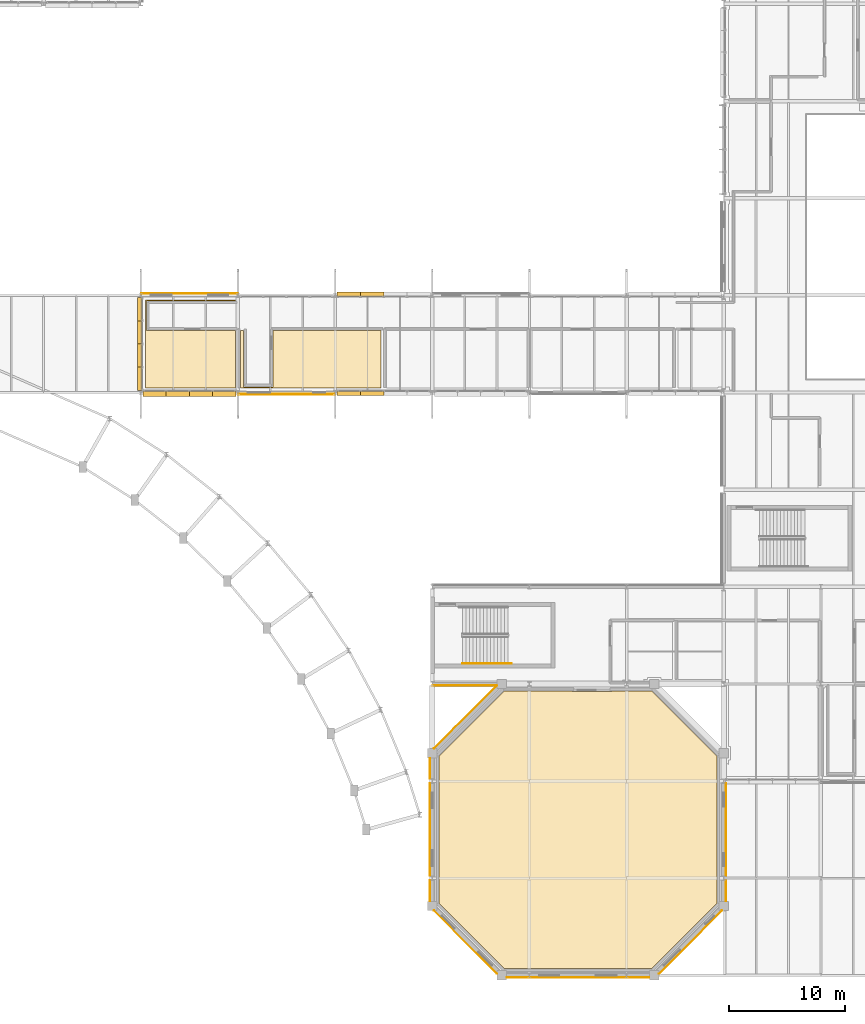
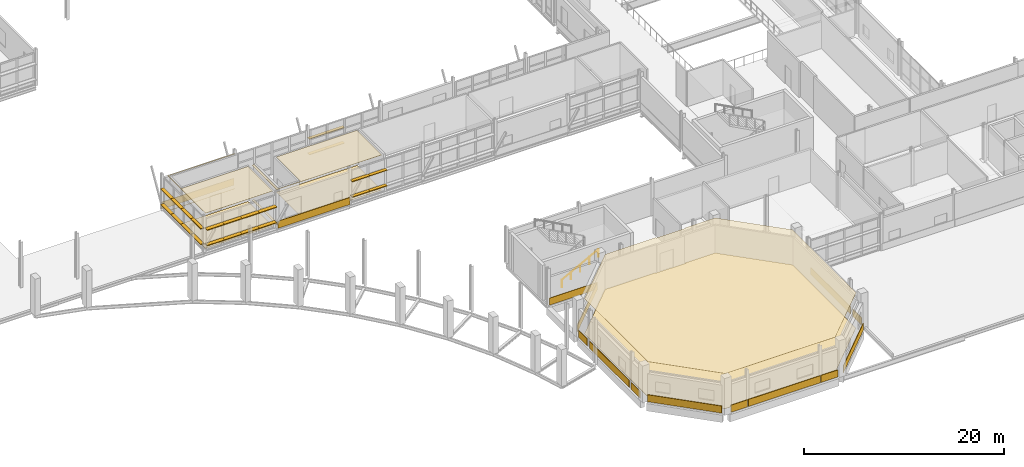
# One storey, part 107 of 129: 24 shading devices, 20 coverings, 1 railing.
"""IFC4 building model written with IfcOpenShell, lengths in metres."""

from ifc_helpers import new_model, si_unit, direction, frame, origin, origin_2d, place, context, subcontext, project, spatial, polyline, rectangle, circle, outline, extrude, material, layer, layer_set, type_object, element, save


model = new_model("IFC4")

# Units and contexts
model_context = context("Model", 3, precision=1e-05, world=origin(), true_north=direction((0.0, 1.0)))
body_context = subcontext(model_context, "Body", "Model", "MODEL_VIEW")
ifc_project = project(units=[si_unit("LENGTHUNIT", "METRE"), si_unit("AREAUNIT", "SQUARE_METRE"), si_unit("VOLUMEUNIT", "CUBIC_METRE"), si_unit("PLANEANGLEUNIT", "RADIAN"), si_unit("MASSUNIT", "GRAM", prefix="KILO")], contexts=[model_context])

# Site, building, storey
site_placement = place(None, origin())
site = spatial("IfcSite", under=ifc_project, at=site_placement, CompositionType="ELEMENT")
building_placement = place(site_placement, origin())
building = spatial("IfcBuilding", under=site, at=building_placement, Name="Mersafa Astral City Hall", CompositionType="ELEMENT")
storey_placement = place(building_placement, frame((0.0, 0.0, 5.39990234375)))
storey = spatial("IfcBuildingStorey", under=building, at=storey_placement, Name="L01", CompositionType="ELEMENT", Elevation=5.39990234375)

# Coverings
ifc_material_1 = material(Name="Cairo Mokattam buff limestone cladding", Category="masonry")
ifc_layer_1 = layer(ifc_material_1, 0.06005859375, Name="Cairo Mokattam buff limestone cladding")
ifc_layer_set_1 = layer_set([ifc_layer_1], Name="Cairo Mokattam buff limestone cladding — ENV-COV-LIMESTONE-60")
covering_type_1 = type_object("IfcCoveringType", Name="ENV-COV-LIMESTONE-60", PredefinedType="CLADDING", material=ifc_layer_set_1)
covering_1_placement = place(storey_placement, frame((70.008056640625, 25.060546875, 0.0), z_axis=(0.0, 0.0, 1.0), x_axis=(1.0, 0.0, 0.0)))
element("IfcCovering", 1, at=covering_1_placement, inside=storey, type_object=covering_type_1, Name="L01 Cairo buff limestone rainscreen cladding 59", PredefinedType="CLADDING", context=body_context, shape_type="SweptSolid", body=[
    extrude(rectangle(XDim=5.5400390625, YDim=0.06005859375, at=origin_2d()), origin(), (0.0, 0.0, 1.0), 0.860107421875),
])
covering_2_placement = place(storey_placement, frame((70.064208984375, 22.335693359375, 0.0), z_axis=(0.0, 0.0, 1.0), x_axis=(-0.707106781187, -0.707106781187, 0.0)))
element("IfcCovering", 2, at=covering_2_placement, inside=storey, type_object=covering_type_1, Name="L01 Cairo buff limestone rainscreen cladding 60", PredefinedType="CLADDING", context=body_context, shape_type="SweptSolid", body=[
    extrude(rectangle(XDim=7.705078125, YDim=0.06005859375, at=origin_2d()), origin(), (0.0, 0.0, 1.0), 0.860107421875),
])
covering_3_placement = place(storey_placement, frame((67.008056640625, 17.89208984375, 0.0), z_axis=(0.0, 0.0, 1.0), x_axis=(0.0, -1.0, 0.0)))
element("IfcCovering", 3, at=covering_3_placement, inside=storey, type_object=covering_type_1, Name="L01 Cairo buff limestone rainscreen cladding 61", PredefinedType="CLADDING", context=body_context, shape_type="SweptSolid", body=[
    extrude(rectangle(XDim=1.77197265625, YDim=0.06005859375, at=origin_2d()), origin(), (0.0, 0.0, 1.0), 0.860107421875),
])
covering_4_placement = place(storey_placement, frame((67.008056640625, 12.594970703125, 0.0), z_axis=(0.0, 0.0, 1.0), x_axis=(0.0, -1.0, 0.0)))
element("IfcCovering", 4, at=covering_4_placement, inside=storey, type_object=covering_type_1, Name="L01 Cairo buff limestone rainscreen cladding 62", PredefinedType="CLADDING", context=body_context, shape_type="SweptSolid", body=[
    extrude(rectangle(XDim=7.998046875, YDim=0.06005859375, at=origin_2d()), origin(), (0.0, 0.0, 1.0), 0.860107421875),
])
covering_5_placement = place(storey_placement, frame((67.008056640625, 7.31298828125, 0.0), z_axis=(0.0, 0.0, 1.0), x_axis=(0.0, -1.0, 0.0)))
element("IfcCovering", 5, at=covering_5_placement, inside=storey, type_object=covering_type_1, Name="L01 Cairo buff limestone rainscreen cladding 63", PredefinedType="CLADDING", context=body_context, shape_type="SweptSolid", body=[
    extrude(rectangle(XDim=1.781982421875, YDim=0.06005859375, at=origin_2d()), origin(), (0.0, 0.0, 1.0), 0.860107421875),
])
covering_6_placement = place(storey_placement, frame((70.064208984375, 2.8642578125, 0.0), z_axis=(0.0, 0.0, 1.0), x_axis=(0.707106781187, -0.707106781187, 0.0)))
element("IfcCovering", 6, at=covering_6_placement, inside=storey, type_object=covering_type_1, Name="L01 Cairo buff limestone rainscreen cladding 64", PredefinedType="CLADDING", context=body_context, shape_type="SweptSolid", body=[
    extrude(rectangle(XDim=7.705078125, YDim=0.06005859375, at=origin_2d()), origin(), (0.0, 0.0, 1.0), 0.860107421875),
])
covering_7_placement = place(storey_placement, frame((74.592041015625, -0.19189453125, 0.0), z_axis=(0.0, 0.0, 1.0), x_axis=(1.0, 0.0, 0.0)))
element("IfcCovering", 7, at=covering_7_placement, inside=storey, type_object=covering_type_1, Name="L01 Cairo buff limestone rainscreen cladding 65", PredefinedType="CLADDING", context=body_context, shape_type="SweptSolid", body=[
    extrude(rectangle(XDim=1.93994140625, YDim=0.06005859375, at=origin_2d()), origin(), (0.0, 0.0, 1.0), 0.860107421875),
])
covering_8_placement = place(storey_placement, frame((79.800048828125, -0.19189453125, 0.0), z_axis=(0.0, 0.0, 1.0), x_axis=(1.0, 0.0, 0.0)))
element("IfcCovering", 8, at=covering_8_placement, inside=storey, type_object=covering_type_1, Name="L01 Cairo buff limestone rainscreen cladding 66", PredefinedType="CLADDING", context=body_context, shape_type="SweptSolid", body=[
    extrude(rectangle(XDim=8.323974609375, YDim=0.06005859375, at=origin_2d()), origin(), (0.0, 0.0, 1.0), 0.860107421875),
])
covering_9_placement = place(storey_placement, frame((85.008056640625, -0.19189453125, 0.0), z_axis=(0.0, 0.0, 1.0), x_axis=(1.0, 0.0, 0.0)))
element("IfcCovering", 9, at=covering_9_placement, inside=storey, type_object=covering_type_1, Name="L01 Cairo buff limestone rainscreen cladding 67", PredefinedType="CLADDING", context=body_context, shape_type="SweptSolid", body=[
    extrude(rectangle(XDim=1.93994140625, YDim=0.06005859375, at=origin_2d()), origin(), (0.0, 0.0, 1.0), 0.860107421875),
])
covering_10_placement = place(storey_placement, frame((89.535888671875, 2.8642578125, 0.0), z_axis=(0.0, 0.0, 1.0), x_axis=(0.707106781187, 0.707106781187, 0.0)))
element("IfcCovering", 10, at=covering_10_placement, inside=storey, type_object=covering_type_1, Name="L01 Cairo buff limestone rainscreen cladding 68", PredefinedType="CLADDING", context=body_context, shape_type="SweptSolid", body=[
    extrude(rectangle(XDim=7.705078125, YDim=0.06005859375, at=origin_2d()), origin(), (0.0, 0.0, 1.0), 0.860107421875),
])
covering_11_placement = place(storey_placement, frame((92.592041015625, 7.30810546875, 0.0), z_axis=(0.0, 0.0, 1.0), x_axis=(0.0, 1.0, 0.0)))
element("IfcCovering", 11, at=covering_11_placement, inside=storey, type_object=covering_type_1, Name="L01 Cairo buff limestone rainscreen cladding 69", PredefinedType="CLADDING", context=body_context, shape_type="SweptSolid", body=[
    extrude(rectangle(XDim=1.77197265625, YDim=0.06005859375, at=origin_2d()), origin(), (0.0, 0.0, 1.0), 0.860107421875),
])
covering_12_placement = place(storey_placement, frame((92.592041015625, 12.60498046875, 0.0), z_axis=(0.0, 0.0, 1.0), x_axis=(0.0, 1.0, 0.0)))
element("IfcCovering", 12, at=covering_12_placement, inside=storey, type_object=covering_type_1, Name="L01 Cairo buff limestone rainscreen cladding 70", PredefinedType="CLADDING", context=body_context, shape_type="SweptSolid", body=[
    extrude(rectangle(XDim=7.998046875, YDim=0.06005859375, at=origin_2d()), origin(), (0.0, 0.0, 1.0), 0.860107421875),
])
for number, where, z_axis, x_axis, name in (
    (13, (46.199951171875, 58.95458984375, 0.0), (0.0, 0.0, 1.0), (-1.0, 0.0, 0.0), "L01 Cairo buff limestone rainscreen cladding 129"),
    (14, (54.60009765625, 50.2529296875, 0.0), (0.0, 0.0, 1.0), (1.0, 0.0, 0.0), "L01 Cairo buff limestone rainscreen cladding 130"),
):
    element("IfcCovering", number, at=place(storey_placement, frame(where, z_axis=z_axis, x_axis=x_axis)), inside=storey, type_object=covering_type_1, Name=name, PredefinedType="CLADDING", context=body_context, shape_type="SweptSolid", body=[
        extrude(rectangle(XDim=8.323974609375, YDim=0.06005859375, at=origin_2d()), origin(), (0.0, 0.0, 1.0), 0.860107421875),
    ])

# Shading devices
ifc_material_2 = material(Name="Kiln-dried cedar timber brise-soleil blade", Category="wood")
shading_device_type_1 = type_object("IfcShadingDeviceType", Name="ENV-SHD-LOUVRE-380", PredefinedType="JALOUSIE", material=ifc_material_2)
shading_device_1_placement = place(storey_placement, frame((61.990478515625, 58.8798828125, 0.81494140625), z_axis=(0.0, 0.0, 1.0), x_axis=(-1.0, 0.0, 0.0)))
element("IfcShadingDevice", 15, at=shading_device_1_placement, inside=storey, type_object=shading_device_type_1, Name="L01 Horizontal cedar brise-soleil louvre 616", PredefinedType="JALOUSIE", context=body_context, shape_type="SweptSolid", body=[
    extrude(rectangle(XDim=2.05908203125, YDim=0.3798828125, at=origin_2d()), origin(), (0.0, 0.0, 1.0), 0.070068359375),
])
shading_device_2_placement = place(storey_placement, frame((59.986572265625, 58.8798828125, 0.81494140625), z_axis=(0.0, 0.0, 1.0), x_axis=(-1.0, 0.0, 0.0)))
element("IfcShadingDevice", 16, at=shading_device_2_placement, inside=storey, type_object=shading_device_type_1, Name="L01 Horizontal cedar brise-soleil louvre 617", PredefinedType="JALOUSIE", context=body_context, shape_type="SweptSolid", body=[
    extrude(rectangle(XDim=2.029052734375, YDim=0.3798828125, at=origin_2d()), origin(), (0.0, 0.0, 1.0), 0.070068359375),
])
shading_device_3_placement = place(storey_placement, frame((61.990478515625, 58.8798828125, 2.71484375), z_axis=(0.0, 0.0, 1.0), x_axis=(-1.0, 0.0, 0.0)))
element("IfcShadingDevice", 17, at=shading_device_3_placement, inside=storey, type_object=shading_device_type_1, Name="L01 Horizontal cedar brise-soleil louvre 620", PredefinedType="JALOUSIE", context=body_context, shape_type="SweptSolid", body=[
    extrude(rectangle(XDim=2.05908203125, YDim=0.3798828125, at=origin_2d()), origin(), (0.0, 0.0, 1.0), 0.070068359375),
])
for number, where, z_axis, x_axis, name in (
    (18, (59.986572265625, 58.8798828125, 2.71484375), (0.0, 0.0, 1.0), (-1.0, 0.0, 0.0), "L01 Horizontal cedar brise-soleil louvre 621"),
    (19, (41.919921875, 57.613525390625, 0.81494140625), (0.0, 0.0, 1.0), (0.0, -1.0, 0.0), "L01 Horizontal cedar brise-soleil louvre 622"),
):
    element("IfcShadingDevice", number, at=place(storey_placement, frame(where, z_axis=z_axis, x_axis=x_axis)), inside=storey, type_object=shading_device_type_1, Name=name, PredefinedType="JALOUSIE", context=body_context, shape_type="SweptSolid", body=[
        extrude(rectangle(XDim=2.029052734375, YDim=0.3798828125, at=origin_2d()), origin(), (0.0, 0.0, 1.0), 0.070068359375),
    ])
for number, where, z_axis, x_axis, name in (
    (20, (41.919921875, 55.609619140625, 0.81494140625), (0.0, 0.0, 1.0), (0.0, -1.0, 0.0), "L01 Horizontal cedar brise-soleil louvre 623"),
    (21, (41.919921875, 53.590576171875, 0.81494140625), (0.0, 0.0, 1.0), (0.0, -1.0, 0.0), "L01 Horizontal cedar brise-soleil louvre 624"),
):
    element("IfcShadingDevice", number, at=place(storey_placement, frame(where, z_axis=z_axis, x_axis=x_axis)), inside=storey, type_object=shading_device_type_1, Name=name, PredefinedType="JALOUSIE", context=body_context, shape_type="SweptSolid", body=[
        extrude(rectangle(XDim=2.05908203125, YDim=0.3798828125, at=origin_2d()), origin(), (0.0, 0.0, 1.0), 0.070068359375),
    ])
for number, where, z_axis, x_axis, name in (
    (22, (41.919921875, 51.58642578125, 0.81494140625), (0.0, 0.0, 1.0), (0.0, -1.0, 0.0), "L01 Horizontal cedar brise-soleil louvre 625"),
    (23, (41.919921875, 57.613525390625, 2.71484375), (0.0, 0.0, 1.0), (0.0, -1.0, 0.0), "L01 Horizontal cedar brise-soleil louvre 626"),
):
    element("IfcShadingDevice", number, at=place(storey_placement, frame(where, z_axis=z_axis, x_axis=x_axis)), inside=storey, type_object=shading_device_type_1, Name=name, PredefinedType="JALOUSIE", context=body_context, shape_type="SweptSolid", body=[
        extrude(rectangle(XDim=2.029052734375, YDim=0.3798828125, at=origin_2d()), origin(), (0.0, 0.0, 1.0), 0.070068359375),
    ])
for number, where, z_axis, x_axis, name in (
    (24, (41.919921875, 55.609619140625, 2.71484375), (0.0, 0.0, 1.0), (0.0, -1.0, 0.0), "L01 Horizontal cedar brise-soleil louvre 627"),
    (25, (41.919921875, 53.590576171875, 2.71484375), (0.0, 0.0, 1.0), (0.0, -1.0, 0.0), "L01 Horizontal cedar brise-soleil louvre 628"),
):
    element("IfcShadingDevice", number, at=place(storey_placement, frame(where, z_axis=z_axis, x_axis=x_axis)), inside=storey, type_object=shading_device_type_1, Name=name, PredefinedType="JALOUSIE", context=body_context, shape_type="SweptSolid", body=[
        extrude(rectangle(XDim=2.05908203125, YDim=0.3798828125, at=origin_2d()), origin(), (0.0, 0.0, 1.0), 0.070068359375),
    ])
for number, where, z_axis, x_axis, name in (
    (26, (41.919921875, 51.58642578125, 2.71484375), (0.0, 0.0, 1.0), (0.0, -1.0, 0.0), "L01 Horizontal cedar brise-soleil louvre 629"),
    (27, (59.986572265625, 50.320068359375, 0.81494140625), (0.0, 0.0, 1.0), (1.0, 0.0, 0.0), "L01 Horizontal cedar brise-soleil louvre 638"),
):
    element("IfcShadingDevice", number, at=place(storey_placement, frame(where, z_axis=z_axis, x_axis=x_axis)), inside=storey, type_object=shading_device_type_1, Name=name, PredefinedType="JALOUSIE", context=body_context, shape_type="SweptSolid", body=[
        extrude(rectangle(XDim=2.029052734375, YDim=0.3798828125, at=origin_2d()), origin(), (0.0, 0.0, 1.0), 0.070068359375),
    ])
shading_device_4_placement = place(storey_placement, frame((61.990478515625, 50.320068359375, 0.81494140625), z_axis=(0.0, 0.0, 1.0), x_axis=(1.0, 0.0, 0.0)))
element("IfcShadingDevice", 28, at=shading_device_4_placement, inside=storey, type_object=shading_device_type_1, Name="L01 Horizontal cedar brise-soleil louvre 639", PredefinedType="JALOUSIE", context=body_context, shape_type="SweptSolid", body=[
    extrude(rectangle(XDim=2.05908203125, YDim=0.3798828125, at=origin_2d()), origin(), (0.0, 0.0, 1.0), 0.070068359375),
])
shading_device_5_placement = place(storey_placement, frame((59.986572265625, 50.320068359375, 2.71484375), z_axis=(0.0, 0.0, 1.0), x_axis=(1.0, 0.0, 0.0)))
element("IfcShadingDevice", 29, at=shading_device_5_placement, inside=storey, type_object=shading_device_type_1, Name="L01 Horizontal cedar brise-soleil louvre 642", PredefinedType="JALOUSIE", context=body_context, shape_type="SweptSolid", body=[
    extrude(rectangle(XDim=2.029052734375, YDim=0.3798828125, at=origin_2d()), origin(), (0.0, 0.0, 1.0), 0.070068359375),
])
shading_device_6_placement = place(storey_placement, frame((61.990478515625, 50.320068359375, 2.71484375), z_axis=(0.0, 0.0, 1.0), x_axis=(1.0, 0.0, 0.0)))
element("IfcShadingDevice", 30, at=shading_device_6_placement, inside=storey, type_object=shading_device_type_1, Name="L01 Horizontal cedar brise-soleil louvre 643", PredefinedType="JALOUSIE", context=body_context, shape_type="SweptSolid", body=[
    extrude(rectangle(XDim=2.05908203125, YDim=0.3798828125, at=origin_2d()), origin(), (0.0, 0.0, 1.0), 0.070068359375),
])
shading_device_type_2 = type_object("IfcShadingDeviceType", Name="ENV-SHD-LOUVRE-450", PredefinedType="JALOUSIE", material=ifc_material_2)
shading_device_7_placement = place(storey_placement, frame((43.1865234375, 50.284912109375, 0.81005859375), z_axis=(0.0, 0.0, 1.0), x_axis=(1.0, 0.0, 0.0)))
element("IfcShadingDevice", 31, at=shading_device_7_placement, inside=storey, type_object=shading_device_type_2, Name="L01 Horizontal cedar brise-soleil louvre 630", PredefinedType="JALOUSIE", context=body_context, shape_type="SweptSolid", body=[
    extrude(rectangle(XDim=2.029052734375, YDim=0.449951171875, at=origin_2d()), origin(), (0.0, 0.0, 1.0), 0.080078125),
])
for number, where, z_axis, x_axis, name in (
    (32, (45.1904296875, 50.284912109375, 0.81005859375), (0.0, 0.0, 1.0), (1.0, 0.0, 0.0), "L01 Horizontal cedar brise-soleil louvre 631"),
    (33, (47.20947265625, 50.284912109375, 0.81005859375), (0.0, 0.0, 1.0), (1.0, 0.0, 0.0), "L01 Horizontal cedar brise-soleil louvre 632"),
):
    element("IfcShadingDevice", number, at=place(storey_placement, frame(where, z_axis=z_axis, x_axis=x_axis)), inside=storey, type_object=shading_device_type_2, Name=name, PredefinedType="JALOUSIE", context=body_context, shape_type="SweptSolid", body=[
        extrude(rectangle(XDim=2.05908203125, YDim=0.449951171875, at=origin_2d()), origin(), (0.0, 0.0, 1.0), 0.080078125),
    ])
for number, where, z_axis, x_axis, name in (
    (34, (49.21337890625, 50.284912109375, 0.81005859375), (0.0, 0.0, 1.0), (1.0, 0.0, 0.0), "L01 Horizontal cedar brise-soleil louvre 633"),
    (35, (43.1865234375, 50.284912109375, 2.7099609375), (0.0, 0.0, 1.0), (1.0, 0.0, 0.0), "L01 Horizontal cedar brise-soleil louvre 634"),
):
    element("IfcShadingDevice", number, at=place(storey_placement, frame(where, z_axis=z_axis, x_axis=x_axis)), inside=storey, type_object=shading_device_type_2, Name=name, PredefinedType="JALOUSIE", context=body_context, shape_type="SweptSolid", body=[
        extrude(rectangle(XDim=2.029052734375, YDim=0.449951171875, at=origin_2d()), origin(), (0.0, 0.0, 1.0), 0.080078125),
    ])
for number, where, z_axis, x_axis, name in (
    (36, (45.1904296875, 50.284912109375, 2.7099609375), (0.0, 0.0, 1.0), (1.0, 0.0, 0.0), "L01 Horizontal cedar brise-soleil louvre 635"),
    (37, (47.20947265625, 50.284912109375, 2.7099609375), (0.0, 0.0, 1.0), (1.0, 0.0, 0.0), "L01 Horizontal cedar brise-soleil louvre 636"),
):
    element("IfcShadingDevice", number, at=place(storey_placement, frame(where, z_axis=z_axis, x_axis=x_axis)), inside=storey, type_object=shading_device_type_2, Name=name, PredefinedType="JALOUSIE", context=body_context, shape_type="SweptSolid", body=[
        extrude(rectangle(XDim=2.05908203125, YDim=0.449951171875, at=origin_2d()), origin(), (0.0, 0.0, 1.0), 0.080078125),
    ])
shading_device_8_placement = place(storey_placement, frame((49.21337890625, 50.284912109375, 2.7099609375), z_axis=(0.0, 0.0, 1.0), x_axis=(1.0, 0.0, 0.0)))
element("IfcShadingDevice", 38, at=shading_device_8_placement, inside=storey, type_object=shading_device_type_2, Name="L01 Horizontal cedar brise-soleil louvre 637", PredefinedType="JALOUSIE", context=body_context, shape_type="SweptSolid", body=[
    extrude(rectangle(XDim=2.029052734375, YDim=0.449951171875, at=origin_2d()), origin(), (0.0, 0.0, 1.0), 0.080078125),
])

# Railing
ifc_material_3 = material(Name="Brushed stainless steel tubular handrail", Category="steel")
railing_type = type_object("IfcRailingType", Name="HANDRAIL", PredefinedType="HANDRAIL", material=ifc_material_3)
railing_placement = place(storey_placement, frame((69.830078125, 26.969970703125, 0.160888671875)))
element("IfcRailing", 39, at=railing_placement, inside=storey, type_object=railing_type, Name="L01 ST7 stair handrail 1", PredefinedType="HANDRAIL", context=body_context, shape_type="SweptSolid", body=[
    extrude(circle(Radius=0.02392578125, at=origin_2d()), frame((0.0, 0.0, 0.8759765625), z_axis=(0.881221683169, 0.0, 0.472703231546), x_axis=(0.0, 1.0, 0.0)), (0.0, 0.0, 1.0), 4.76611328125),
    extrude(circle(Radius=0.02099609375, at=origin_2d()), origin(), (0.0, 0.0, 1.0), 0.851806640625),
    extrude(circle(Radius=0.02099609375, at=origin_2d()), frame((1.050048828125, 0.0, 0.563232421875)), (0.0, 0.0, 1.0), 0.851806640625),
    extrude(circle(Radius=0.02099609375, at=origin_2d()), frame((2.10009765625, 0.0, 1.12646484375)), (0.0, 0.0, 1.0), 0.851806640625),
    extrude(circle(Radius=0.02099609375, at=origin_2d()), frame((3.14990234375, 0.0, 1.689697265625)), (0.0, 0.0, 1.0), 0.851806640625),
    extrude(circle(Radius=0.02099609375, at=origin_2d()), frame((4.199951171875, 0.0, 2.2529296875)), (0.0, 0.0, 1.0), 0.851806640625),
])

# Coverings
ifc_material_4 = material(Name="Perforated acoustic gypsum board ceiling", Category="gypsum")
ifc_layer_2 = layer(ifc_material_4, 0.02490234375, Name="Perforated acoustic gypsum board ceiling")
ifc_layer_set_2 = layer_set([ifc_layer_2], Name="Perforated acoustic gypsum board ceiling — INT-COV-CEIL-25")
covering_type_2 = type_object("IfcCoveringType", Name="INT-COV-CEIL-25", PredefinedType="CEILING", material=ifc_layer_set_2)
covering_13_placement = place(storey_placement, frame((0.0, 0.0, 4.281005859375)))
element("IfcCovering", 40, at=covering_13_placement, inside=storey, type_object=covering_type_2, Name="L01 Civic Ombudsman Consultation Suite L01-23 acoustic ceiling", PredefinedType="CEILING", context=body_context, shape_type="SweptSolid", body=[
    extrude(outline(polyline([(50.8798828125, 55.760009765625), (50.8798828125, 50.8798828125), (53.43994140625, 50.8798828125), (53.43994140625, 55.760009765625), (62.77001953125, 55.760009765625), (62.77001953125, 50.800048828125), (50.6298828125, 50.800048828125), (50.6298828125, 55.760009765625), (50.8798828125, 55.760009765625)])), origin(), (0.0, 0.0, 1.0), 0.025146484375),
])
covering_14_placement = place(storey_placement, frame((0.0, 0.0, 4.281005859375)))
element("IfcCovering", 41, at=covering_14_placement, inside=storey, type_object=covering_type_2, Name="L01 Legislative Drafting Office L01-26 acoustic ceiling", PredefinedType="CEILING", context=body_context, shape_type="SweptSolid", body=[
    extrude(outline(polyline([(50.169921875, 58.39990234375), (50.169921875, 58.320068359375), (42.47998046875, 58.320068359375), (42.47998046875, 55.760009765625), (50.169921875, 55.760009765625), (50.169921875, 50.800048828125), (42.39990234375, 50.800048828125), (42.39990234375, 58.39990234375), (50.169921875, 58.39990234375)])), origin(), (0.0, 0.0, 1.0), 0.025146484375),
])
ifc_material_5 = material(Name="Slatted cedar timber acoustic baffle ceiling", Category="wood")
ifc_layer_3 = layer(ifc_material_5, 0.034912109375, Name="Slatted cedar timber acoustic baffle ceiling")
ifc_layer_set_3 = layer_set([ifc_layer_3], Name="Slatted cedar timber acoustic baffle ceiling — INT-COV-CEIL-35")
covering_type_3 = type_object("IfcCoveringType", Name="INT-COV-CEIL-35", PredefinedType="CEILING", material=ifc_layer_set_3)
covering_15_placement = place(storey_placement, frame((0.0, 0.0, 4.27099609375)))
element("IfcCovering", 42, at=covering_15_placement, inside=storey, type_object=covering_type_3, Name="L01 Council Chamber acoustic ceiling", PredefinedType="CEILING", context=body_context, shape_type="SweptSolid", body=[
    extrude(outline(polyline([(73.4443359375, 24.610107421875), (79.280029296875, 24.610107421875), (79.280029296875, 24.530029296875), (82.719970703125, 24.530029296875), (82.719970703125, 24.610107421875), (86.155517578125, 24.610107421875), (91.81005859375, 18.95556640625), (91.81005859375, 6.244384765625), (86.155517578125, 0.590087890625), (73.4443359375, 0.590087890625), (67.7900390625, 6.244384765625), (67.7900390625, 18.95556640625), (73.4443359375, 24.610107421875)])), origin(), (0.0, 0.0, 1.0), 0.03515625),
])
ifc_material_6 = material(Name="Honed Cairo limestone terrazzo flooring", Category="masonry")
ifc_layer_4 = layer(ifc_material_6, 0.02001953125, Name="Honed Cairo limestone terrazzo flooring")
ifc_layer_set_4 = layer_set([ifc_layer_4], Name="Honed Cairo limestone terrazzo flooring — INT-COV-FLR-20")
covering_type_4 = type_object("IfcCoveringType", Name="INT-COV-FLR-20", PredefinedType="FLOORING", material=ifc_layer_set_4)
covering_16_placement = place(storey_placement, frame((0.0, 0.0, -0.00146484375)))
element("IfcCovering", 43, at=covering_16_placement, inside=storey, type_object=covering_type_4, Name="L01 Council Chamber architectural flooring", PredefinedType="FLOORING", context=body_context, shape_type="SweptSolid", body=[
    extrude(outline(polyline([(73.4443359375, 24.610107421875), (79.280029296875, 24.610107421875), (79.280029296875, 24.530029296875), (82.719970703125, 24.530029296875), (82.719970703125, 24.610107421875), (86.155517578125, 24.610107421875), (91.81005859375, 18.95556640625), (91.81005859375, 6.244384765625), (86.155517578125, 0.590087890625), (73.4443359375, 0.590087890625), (67.7900390625, 6.244384765625), (67.7900390625, 18.95556640625), (73.4443359375, 24.610107421875)])), origin(), (0.0, 0.0, 1.0), 0.02001953125),
])
covering_17_placement = place(storey_placement, frame((0.0, 0.0, -0.00146484375)))
element("IfcCovering", 44, at=covering_17_placement, inside=storey, type_object=covering_type_4, Name="L01 Civic Ombudsman Consultation Suite L01-23 architectural flooring", PredefinedType="FLOORING", context=body_context, shape_type="SweptSolid", body=[
    extrude(outline(polyline([(50.8798828125, 55.760009765625), (50.8798828125, 50.8798828125), (53.43994140625, 50.8798828125), (53.43994140625, 55.760009765625), (62.77001953125, 55.760009765625), (62.77001953125, 50.800048828125), (50.6298828125, 50.800048828125), (50.6298828125, 55.760009765625), (50.8798828125, 55.760009765625)])), origin(), (0.0, 0.0, 1.0), 0.02001953125),
])
covering_18_placement = place(storey_placement, frame((0.0, 0.0, -0.00146484375)))
element("IfcCovering", 45, at=covering_18_placement, inside=storey, type_object=covering_type_4, Name="L01 Legislative Drafting Office L01-26 architectural flooring", PredefinedType="FLOORING", context=body_context, shape_type="SweptSolid", body=[
    extrude(outline(polyline([(50.169921875, 58.39990234375), (50.169921875, 58.320068359375), (42.47998046875, 58.320068359375), (42.47998046875, 55.760009765625), (50.169921875, 55.760009765625), (50.169921875, 50.800048828125), (42.39990234375, 50.800048828125), (42.39990234375, 58.39990234375), (50.169921875, 58.39990234375)])), origin(), (0.0, 0.0, 1.0), 0.02001953125),
])

save(model, "model.ifc")
